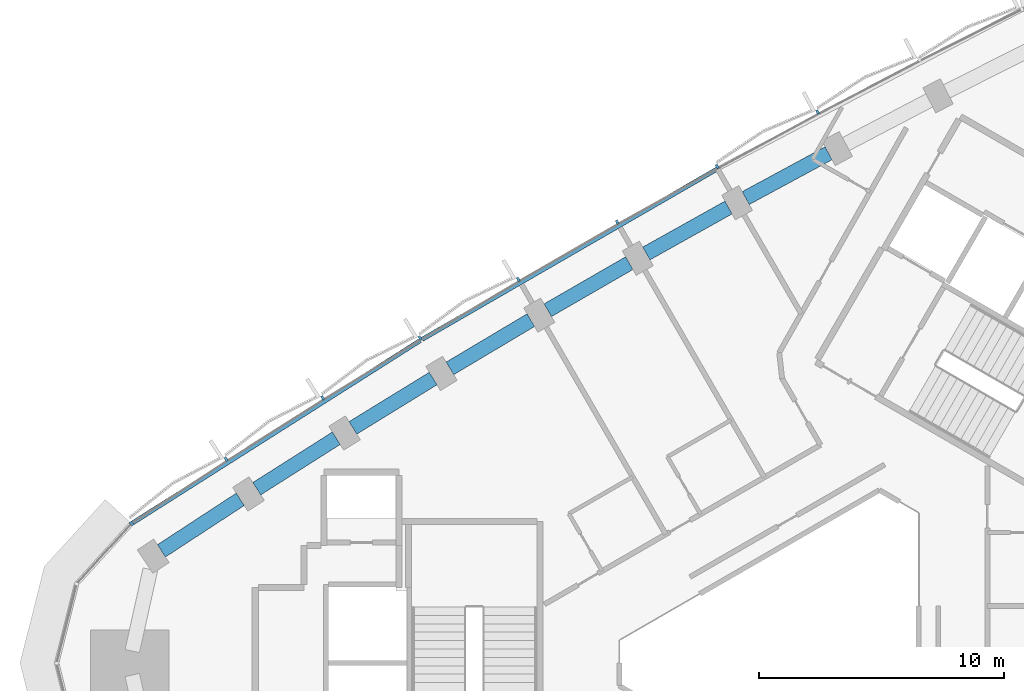
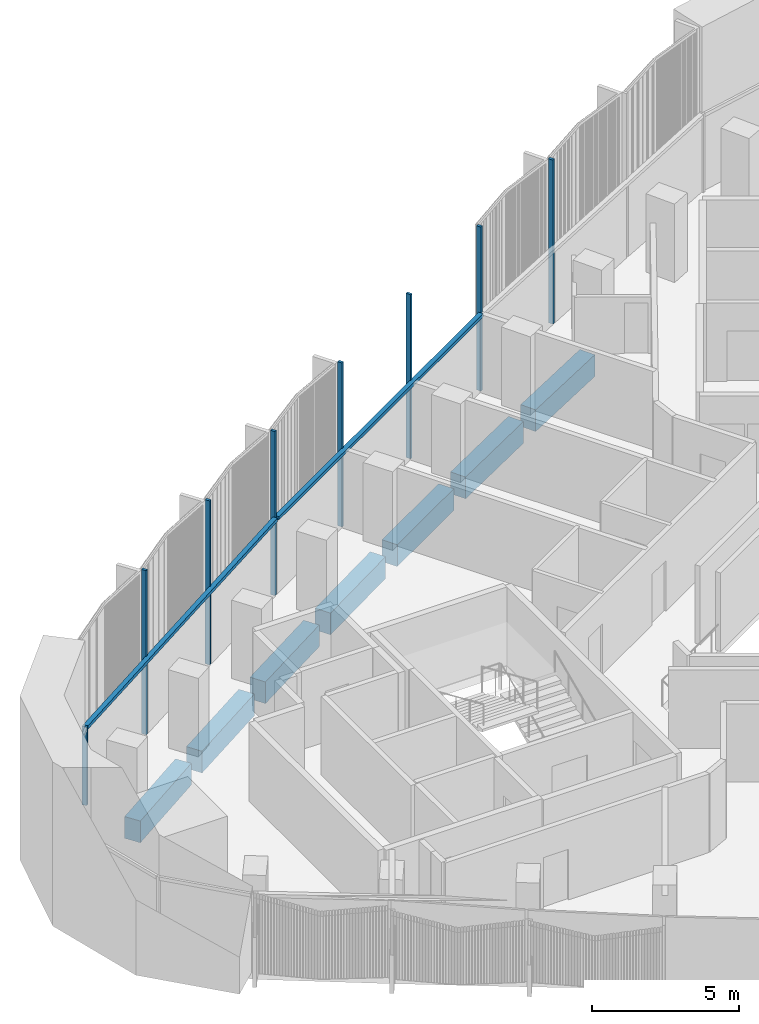
# One storey, part 4 of 13: 10 members, 7 beams, 1 element without a shape of its own.
"""IFC4 building model written with IfcOpenShell, lengths in metres."""

import ifcopenshell
import ifcopenshell.guid

model = None  # the IFC model being written
_history = None  # IfcOwnerHistory: only IFC2X3 demands one
_inside = {}  # id of a spatial element -> (the spatial element, [elements in it])
_under = {}  # id of a project, library or spatial element -> (it, [spatial elements below it])
_declared = {}  # id of a project -> (the project, [libraries it declares])
_typed = {}  # id of a type object -> (the type object, [elements of that type])
_made_of = {}  # id of a material, layer set ... -> (it, [elements and type objects made of it])


def new_model(schema):
    """Start an empty IFC model of exactly this schema.

    Asked for "IFC4X3", IfcOpenShell would pick the latest addendum, in which some entities
    have other attributes; the version numbers below select the first issue.
    IFC2X3 requires an IfcOwnerHistory on every rooted entity: one is made here for all.
    """
    global model, _history
    if schema == "IFC4X3":
        model = ifcopenshell.file(schema_version=(4, 3, 0, 0))
    else:
        model = ifcopenshell.file(schema=schema)
    _inside.clear()
    _under.clear()
    _declared.clear()
    _typed.clear()
    _made_of.clear()
    _history = None
    if model.schema == "IFC2X3":
        org = make("IfcOrganization", Name="unknown")
        user = make(
            "IfcPersonAndOrganization",
            ThePerson=make("IfcPerson", FamilyName="unknown"),
            TheOrganization=org,
        )
        app = make(
            "IfcApplication",
            ApplicationDeveloper=org,
            Version="unknown",
            ApplicationFullName="unknown",
            ApplicationIdentifier="unknown",
        )
        _history = make(
            "IfcOwnerHistory",
            OwningUser=user,
            OwningApplication=app,
            ChangeAction="ADDED",
            CreationDate=0,
        )
    return model


def make(cls, **values):
    """One entity of the class cls with the attributes given. An attribute that is None is left unset."""
    return model.create_entity(
        cls, **{name: value for name, value in values.items() if value is not None}
    )


def rooted(cls, **values):
    """An entity with a GlobalId (a new one), such as an element, a storey or a relation."""
    return make(cls, GlobalId=ifcopenshell.guid.new(), OwnerHistory=_history, **values)


def si_unit(unit_type, name, prefix=None):
    """IfcSIUnit, for example si_unit("LENGTHUNIT", "METRE", prefix="MILLI")."""
    return make("IfcSIUnit", UnitType=unit_type, Prefix=prefix, Name=name)


def assignment(units):
    """IfcUnitAssignment: the units of a project."""
    return None if units is None else make("IfcUnitAssignment", Units=units)


def point(xyz):
    """IfcCartesianPoint."""
    return None if xyz is None else make("IfcCartesianPoint", Coordinates=xyz)


def direction(xyz):
    """IfcDirection."""
    return None if xyz is None else make("IfcDirection", DirectionRatios=xyz)


def frame(location, z_axis=None, x_axis=None):
    """IfcAxis2Placement3D, a coordinate frame: its origin and axes. An axis left out is left unset."""
    return make(
        "IfcAxis2Placement3D",
        Location=point(location),
        Axis=direction(z_axis),
        RefDirection=direction(x_axis),
    )


def frame_2d(location, x_axis=None):
    """IfcAxis2Placement2D, a coordinate frame in the plane: its origin and x axis."""
    return make(
        "IfcAxis2Placement2D", Location=point(location), RefDirection=direction(x_axis)
    )


def origin():
    """The frame at (0, 0, 0) with its axes left unset."""
    return frame((0.0, 0.0, 0.0))


def origin_2d():
    """The frame at (0, 0) in the plane with its x axis left unset."""
    return frame_2d((0.0, 0.0))


def place(relative_to, where):
    """IfcLocalPlacement: puts the frame where relative to a parent placement (None: the world)."""
    return make(
        "IfcLocalPlacement", PlacementRelTo=relative_to, RelativePlacement=where
    )


def context(
    kind, dimensions, precision=None, world=None, true_north=None, identifier=None
):
    """IfcGeometricRepresentationContext, for example the 3D "Model" context."""
    return make(
        "IfcGeometricRepresentationContext",
        ContextIdentifier=identifier,
        ContextType=kind,
        CoordinateSpaceDimension=dimensions,
        Precision=precision,
        WorldCoordinateSystem=world,
        TrueNorth=true_north,
    )


def subcontext(parent, identifier, kind, view, scale=None):
    """IfcGeometricRepresentationSubContext, for example "Body" below "Model"."""
    return make(
        "IfcGeometricRepresentationSubContext",
        ContextIdentifier=identifier,
        ContextType=kind,
        ParentContext=parent,
        TargetScale=scale,
        TargetView=view,
    )


def project(units=None, contexts=None):
    """IfcProject with its units and contexts."""
    return rooted(
        "IfcProject",
        Name="project",
        RepresentationContexts=contexts,
        UnitsInContext=assignment(units),
    )


def spatial(cls, under=None, at=None, **own):
    """A site, building, storey or space (cls), placed at a placement, below another one or the project."""
    s = rooted(cls, ObjectPlacement=at, **own)
    if under is not None:
        _under.setdefault(under.id(), (under, []))[1].append(s)
    return s


def profile(cls, at=None, kind="AREA", **sizes):
    """A parametric profile (cls). Its sizes go by their IFC names, for example OverallWidth=200.0."""
    return make(cls, ProfileType=kind, Position=at, **sizes)


def rectangle(**sizes):
    """IfcRectangleProfileDef."""
    return profile("IfcRectangleProfileDef", **sizes)


def extrude(swept, where, along, depth):
    """IfcExtrudedAreaSolid: the profile swept, set in the frame where, extruded along a direction by depth."""
    return make(
        "IfcExtrudedAreaSolid",
        SweptArea=swept,
        Position=where,
        ExtrudedDirection=direction(along),
        Depth=depth,
    )


def shape(context_of_items, identifier, shape_type, items):
    """IfcShapeRepresentation: the items that make up one representation, for example the "Body"."""
    return make(
        "IfcShapeRepresentation",
        ContextOfItems=context_of_items,
        RepresentationIdentifier=identifier,
        RepresentationType=shape_type,
        Items=items,
    )


def material(Name=None, Category=None):
    """IfcMaterial."""
    return make("IfcMaterial", Name=Name, Category=Category)


def material_profile(
    of_material, cross_section, Name=None, Category=None, Priority=None
):
    """IfcMaterialProfile: a cross section and its material."""
    return make(
        "IfcMaterialProfile",
        Name=Name,
        Material=of_material,
        Profile=cross_section,
        Priority=Priority,
        Category=Category,
    )


def profile_set(profiles, Name=None, composite=None):
    """IfcMaterialProfileSet."""
    return make(
        "IfcMaterialProfileSet",
        Name=Name,
        MaterialProfiles=profiles,
        CompositeProfile=composite,
    )


def made_of(thing, what):
    """Note that an element or type object is made of a material, layer set ...; save() writes the relation."""
    if what is not None:
        _made_of.setdefault(what.id(), (what, []))[1].append(thing)
    return thing


def type_object(cls, material=None, **own):
    """A type object (cls), such as IfcWallType, which elements share."""
    return made_of(rooted(cls, **own), material)


def element(
    cls,
    number,
    at=None,
    inside=None,
    cuts=None,
    type_object=None,
    material=None,
    context=None,
    identifier="Body",
    shape_type=None,
    held_by="IfcProductDefinitionShape",
    body=None,
    shapes=None,
    **own,
):
    """One element of the class cls, such as IfcWall. Its Tag is "e" and its number.

    at: its placement. inside: the storey or other place that contains it. cuts: it is an
    opening in that element (IfcRelVoidsElement). A single representation is given by context,
    identifier, shape_type and body (its items); several are given by shapes. held_by: the class
    of the entity that holds the representations. save() writes the other relations.
    """
    e = rooted(cls, Tag="e%d" % number, ObjectPlacement=at, **own)
    if body is not None:
        shapes = [shape(context, identifier, shape_type, body)]
    if shapes is not None:
        e.Representation = make(held_by, Representations=shapes)
    if inside is not None:
        _inside.setdefault(inside.id(), (inside, []))[1].append(e)
    if cuts is not None:
        rooted(
            "IfcRelVoidsElement", RelatingBuildingElement=cuts, RelatedOpeningElement=e
        )
    if type_object is not None:
        _typed.setdefault(type_object.id(), (type_object, []))[1].append(e)
    return made_of(e, material)


def aggregate(whole, parts):
    """IfcRelAggregates: a whole, such as a stair, and the parts it consists of."""
    return rooted("IfcRelAggregates", RelatingObject=whole, RelatedObjects=parts)


def save(model, path):
    """Write the relations noted so far, then the file.

    IfcRelAggregates (storeys below a building ...), IfcRelContainedInSpatialStructure (elements
    in a storey), IfcRelDefinesByType, IfcRelAssociatesMaterial and IfcRelDeclares: one each for
    every whole, place, type object, material and project.
    """
    for whole, parts in _under.values():
        aggregate(whole, parts)
    for where, things in _inside.values():
        rooted(
            "IfcRelContainedInSpatialStructure",
            RelatedElements=things,
            RelatingStructure=where,
        )
    for kind, things in _typed.values():
        rooted("IfcRelDefinesByType", RelatedObjects=things, RelatingType=kind)
    for what, things in _made_of.values():
        rooted("IfcRelAssociatesMaterial", RelatedObjects=things, RelatingMaterial=what)
    for by, libraries in _declared.values():
        rooted("IfcRelDeclares", RelatingContext=by, RelatedDefinitions=libraries)
    model.write(path)


model = new_model("IFC4")

# Units and contexts
model_context = context("Model", 3, precision=1e-05, world=origin(), true_north=direction((0.0, 1.0)))
body_context = subcontext(model_context, "Body", "Model", "MODEL_VIEW")
ifc_project = project(units=[si_unit("LENGTHUNIT", "METRE"), si_unit("AREAUNIT", "SQUARE_METRE"), si_unit("VOLUMEUNIT", "CUBIC_METRE"), si_unit("PLANEANGLEUNIT", "RADIAN"), si_unit("MASSUNIT", "GRAM", prefix="KILO")], contexts=[model_context])

# Site, building, storey
site_placement = place(None, origin())
site = spatial("IfcSite", under=ifc_project, at=site_placement, CompositionType="ELEMENT")
building_placement = place(site_placement, origin())
building = spatial("IfcBuilding", under=site, at=building_placement, Name="Tamra Quay Hotel Tower", CompositionType="ELEMENT")
storey_placement = place(building_placement, frame((0.0, 0.0, 204.39990234375)))
storey = spatial("IfcBuildingStorey", under=building, at=storey_placement, Name="L51", CompositionType="ELEMENT", Elevation=204.39990234375)

# Curtain wall, members
ifc_material_1 = material(Name="Aluminium 6063 anodised dark grey", Category="aluminium")
curtain_wall_type = type_object("IfcCurtainWallType", Name="CW2 CURTAIN WALL", PredefinedType="NOTDEFINED", material=ifc_material_1)
curtain_wall_placement = place(storey_placement, origin())
curtain_wall = element("IfcCurtainWall", 1, at=curtain_wall_placement, inside=storey, type_object=curtain_wall_type, Name="CW2 north-west face L51", PredefinedType="NOTDEFINED")
ifc_material_profile_1 = material_profile(ifc_material_1, rectangle(XDim=0.179931640625, YDim=0.10009765625, at=origin_2d()), Name="MULLION 100X180")
ifc_profile_set_1 = profile_set([ifc_material_profile_1], Name="Aluminium 6063 anodised dark grey")
member_type_1 = type_object("IfcMemberType", Name="MULLION CW2 Z4", PredefinedType="MULLION", material=ifc_profile_set_1)
member_1_placement = place(storey_placement, frame((0.4853515625, 22.458984375, 0.0), z_axis=(0.0, 0.0, 1.0), x_axis=(-0.469667598909, 0.882843330685, 0.0)))
member_1 = element("IfcMember", 2, at=member_1_placement, type_object=member_type_1, Name="CW2 mullion L51.NW.3", PredefinedType="MULLION", context=body_context, shape_type="SweptSolid", body=[
    extrude(rectangle(XDim=0.179931640625, YDim=0.10009765625, at=origin_2d()), origin(), (0.0, 0.0, 1.0), 6.800048828125),
])
member_2_placement = place(storey_placement, frame((-3.613525390625, 20.24169921875, 0.0), z_axis=(0.0, 0.0, 1.0), x_axis=(-0.481860669962, 0.876247850065, 0.0)))
member_2 = element("IfcMember", 3, at=member_2_placement, type_object=member_type_1, Name="CW2 mullion L51.NW.4", PredefinedType="MULLION", context=body_context, shape_type="SweptSolid", body=[
    extrude(rectangle(XDim=0.179931640625, YDim=0.10009765625, at=origin_2d()), origin(), (0.0, 0.0, 1.0), 6.800048828125),
])
member_3_placement = place(storey_placement, frame((-7.682373046875, 17.967529296875, 0.0), z_axis=(0.0, 0.0, 1.0), x_axis=(-0.493974991142, 0.869476111303, 0.0)))
member_3 = element("IfcMember", 4, at=member_3_placement, type_object=member_type_1, Name="CW2 mullion L51.NW.5", PredefinedType="MULLION", context=body_context, shape_type="SweptSolid", body=[
    extrude(rectangle(XDim=0.179931640625, YDim=0.10009765625, at=origin_2d()), origin(), (0.0, 0.0, 1.0), 6.800048828125),
])
member_4_placement = place(storey_placement, frame((-11.718994140625, 15.636962890625, 0.0), z_axis=(0.0, 0.0, 1.0), x_axis=(-0.506000904801, 0.862532946814, 0.0)))
member_4 = element("IfcMember", 5, at=member_4_placement, type_object=member_type_1, Name="CW2 mullion L51.NW.6", PredefinedType="MULLION", context=body_context, shape_type="SweptSolid", body=[
    extrude(rectangle(XDim=0.179931640625, YDim=0.10009765625, at=origin_2d()), origin(), (0.0, 0.0, 1.0), 6.800048828125),
])
member_5_placement = place(storey_placement, frame((-15.72314453125, 13.25048828125, 0.0), z_axis=(0.0, 0.0, 1.0), x_axis=(-0.517922563187, 0.855427506304, 0.0)))
member_5 = element("IfcMember", 6, at=member_5_placement, type_object=member_type_1, Name="CW2 mullion L51.NW.7", PredefinedType="MULLION", context=body_context, shape_type="SweptSolid", body=[
    extrude(rectangle(XDim=0.179931640625, YDim=0.10009765625, at=origin_2d()), origin(), (0.0, 0.0, 1.0), 6.800048828125),
])
member_6_placement = place(storey_placement, frame((-19.69287109375, 10.80908203125, 0.0), z_axis=(0.0, 0.0, 1.0), x_axis=(-0.52973095248, 0.848165737332, 0.0)))
member_6 = element("IfcMember", 7, at=member_6_placement, type_object=member_type_1, Name="CW2 mullion L51.NW.8", PredefinedType="MULLION", context=body_context, shape_type="SweptSolid", body=[
    extrude(rectangle(XDim=0.179931640625, YDim=0.10009765625, at=origin_2d()), origin(), (0.0, 0.0, 1.0), 6.800048828125),
])
member_7_placement = place(storey_placement, frame((-23.629150390625, 8.3125, 0.0), z_axis=(0.0, 0.0, 1.0), x_axis=(-0.541421874538, 0.840751065282, 0.0)))
member_7 = element("IfcMember", 8, at=member_7_placement, type_object=member_type_1, Name="CW2 mullion L51.NW.9", PredefinedType="MULLION", context=body_context, shape_type="SweptSolid", body=[
    extrude(rectangle(XDim=0.179931640625, YDim=0.10009765625, at=origin_2d()), origin(), (0.0, 0.0, 1.0), 6.800048828125),
])
member_8_placement = place(storey_placement, frame((-27.48046875, 5.687255859375, 0.0), z_axis=(0.0, 0.0, 1.0), x_axis=(-0.648381346761, 0.7613157224, 0.0)))
member_8 = element("IfcMember", 9, at=member_8_placement, type_object=member_type_1, Name="CW2 mullion L51.NW.10", PredefinedType="MULLION", context=body_context, shape_type="SweptSolid", body=[
    extrude(rectangle(XDim=0.179931640625, YDim=0.10009765625, at=origin_2d()), origin(), (0.0, 0.0, 1.0), 3.25),
])

# Beams
ifc_material_2 = material(Name="Concrete M60", Category="concrete")
ifc_material_profile_2 = material_profile(ifc_material_2, rectangle(XDim=0.60009765625, YDim=0.89990234375, at=origin_2d()), Name="SPANDREL BEAM RC 600x900")
ifc_profile_set_2 = profile_set([ifc_material_profile_2], Name="Concrete M60")
beam_type = type_object("IfcBeamType", Name="SPANDREL BEAM RC 600x900", PredefinedType="SPANDREL", material=ifc_profile_set_2)
beam_1_placement = place(storey_placement, frame((0.927490234375, 20.77783203125, -0.7998046875), z_axis=(-0.879589264525, -0.475733881211, 0.0), x_axis=(0.475733881211, -0.879589264525, 0.0)))
element("IfcBeam", 10, at=beam_1_placement, inside=storey, type_object=beam_type, Name="BM-SP4-013-L51", PredefinedType="SPANDREL", context=body_context, shape_type="SweptSolid", body=[
    extrude(rectangle(XDim=0.60009765625, YDim=0.89990234375, at=origin_2d()), origin(), (0.0, 0.0, 1.0), 3.838134765625),
])
for number, where, z_axis, x_axis, name in (
    (11, (-3.1494140625, 18.56640625, -0.7998046875), (-0.872890885292, -0.487915466422, 0.0), (0.487915466422, -0.872890885292, 0.0), "BM-SP4-014-L51"),
    (12, (-7.194580078125, 16.298828125, -0.7998046875), (-0.866022424722, -0.500005159851, 0.0), (0.500005159851, -0.866022424722, 0.0), "BM-SP4-015-L51"),
):
    element("IfcBeam", number, at=place(storey_placement, frame(where, z_axis=z_axis, x_axis=x_axis)), inside=storey, type_object=beam_type, Name=name, PredefinedType="SPANDREL", context=body_context, shape_type="SweptSolid", body=[
        extrude(rectangle(XDim=0.60009765625, YDim=0.89990234375, at=origin_2d()), origin(), (0.0, 0.0, 1.0), 3.83740234375),
    ])
beam_2_placement = place(storey_placement, frame((-11.2080078125, 13.975341796875, -0.7998046875), z_axis=(-0.858982487636, -0.512004966708, 0.0), x_axis=(0.512004966708, -0.858982487636, 0.0)))
element("IfcBeam", 13, at=beam_2_placement, inside=storey, type_object=beam_type, Name="BM-SP4-016-L51", PredefinedType="SPANDREL", context=body_context, shape_type="SweptSolid", body=[
    extrude(rectangle(XDim=0.60009765625, YDim=0.89990234375, at=origin_2d()), origin(), (0.0, 0.0, 1.0), 3.837646484375),
])
beam_3_placement = place(storey_placement, frame((-15.188720703125, 11.59619140625, -0.7998046875), z_axis=(-0.851817714835, -0.523838315411, 0.0), x_axis=(0.523838315411, -0.851817714835, 0.0)))
element("IfcBeam", 14, at=beam_3_placement, inside=storey, type_object=beam_type, Name="BM-SP4-017-L51", PredefinedType="SPANDREL", context=body_context, shape_type="SweptSolid", body=[
    extrude(rectangle(XDim=0.60009765625, YDim=0.89990234375, at=origin_2d()), origin(), (0.0, 0.0, 1.0), 3.837890625),
])
for number, where, z_axis, x_axis, name in (
    (15, (-19.136474609375, 9.162109375, -0.7998046875), (-0.844469978785, -0.535602889211, 0.0), (0.535602889211, -0.844469978785, 0.0), "BM-SP4-018-L51"),
    (16, (-23.0498046875, 6.673583984375, -0.7998046875), (-0.836969613974, -0.547249362983, 0.0), (0.547249362983, -0.836969613974, 0.0), "BM-SP4-019-L51"),
):
    element("IfcBeam", number, at=place(storey_placement, frame(where, z_axis=z_axis, x_axis=x_axis)), inside=storey, type_object=beam_type, Name=name, PredefinedType="SPANDREL", context=body_context, shape_type="SweptSolid", body=[
        extrude(rectangle(XDim=0.60009765625, YDim=0.89990234375, at=origin_2d()), origin(), (0.0, 0.0, 1.0), 3.837646484375),
    ])

# Member
ifc_material_profile_3 = material_profile(ifc_material_1, rectangle(XDim=0.179931640625, YDim=0.139892578125, at=origin_2d()), Name="TRANSOM 180X140")
ifc_profile_set_3 = profile_set([ifc_material_profile_3], Name="Aluminium 6063 anodised dark grey")
member_type_2 = type_object("IfcMemberType", Name="TRANSOM CW2 Z4", PredefinedType="USERDEFINED", material=ifc_profile_set_3)
member_9_placement = place(storey_placement, frame((-3.614013671875, 20.138671875, 3.18017578125), z_axis=(-0.866018612845, -0.500011762068, 0.0), x_axis=(0.500011762068, -0.866018612845, 0.0)))
member_9 = element("IfcMember", 17, at=member_9_placement, type_object=member_type_2, Name="CW2 transom L51.NW.4", ObjectType="TRANSOM", PredefinedType="USERDEFINED", context=body_context, shape_type="SweptSolid", body=[
    extrude(rectangle(XDim=0.179931640625, YDim=0.139892578125, at=origin_2d()), origin(), (0.0, 0.0, 1.0), 13.879150390625),
])

member_10_placement = place(storey_placement, frame((-15.718994140625, 13.147216796875, 3.18017578125), z_axis=(-0.844484125962, -0.535580583105, 0.0), x_axis=(0.535580583105, -0.844484125962, 0.0)))
member_10 = element("IfcMember", 18, at=member_10_placement, type_object=member_type_2, Name="CW2 transom L51.NW.7", ObjectType="TRANSOM", PredefinedType="USERDEFINED", context=body_context, shape_type="SweptSolid", body=[
    extrude(rectangle(XDim=0.179931640625, YDim=0.139892578125, at=origin_2d()), origin(), (0.0, 0.0, 1.0), 13.877685546875),
])

aggregate(curtain_wall, [member_1, member_2, member_9, member_3, member_4, member_5, member_10, member_6, member_7, member_8])

save(model, "model.ifc")
